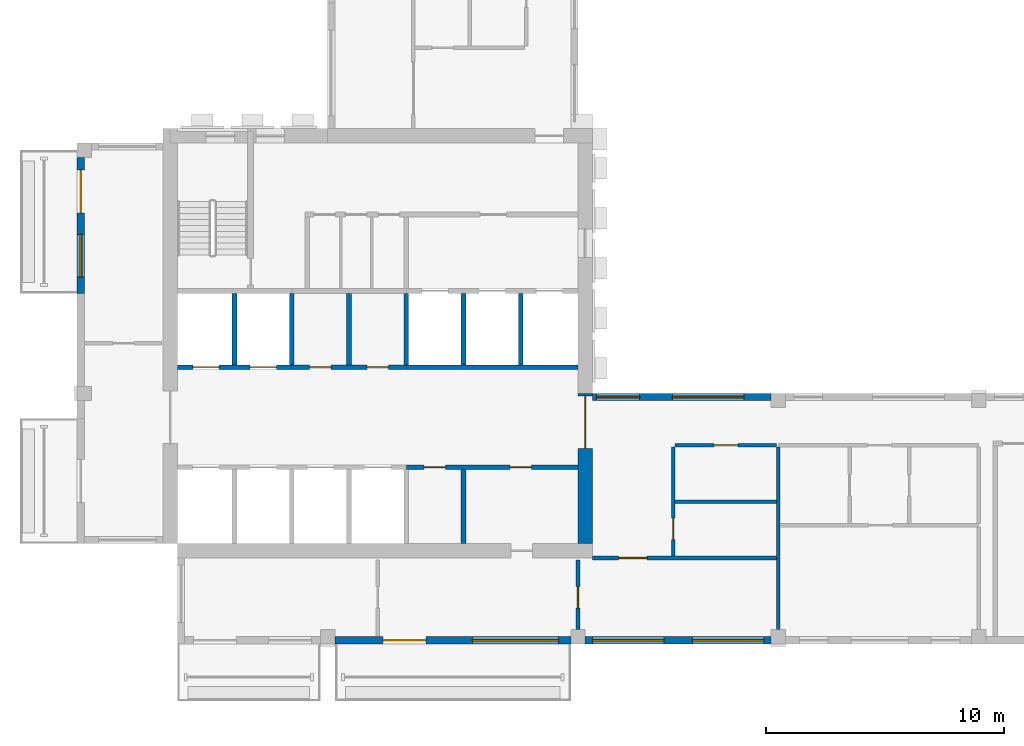
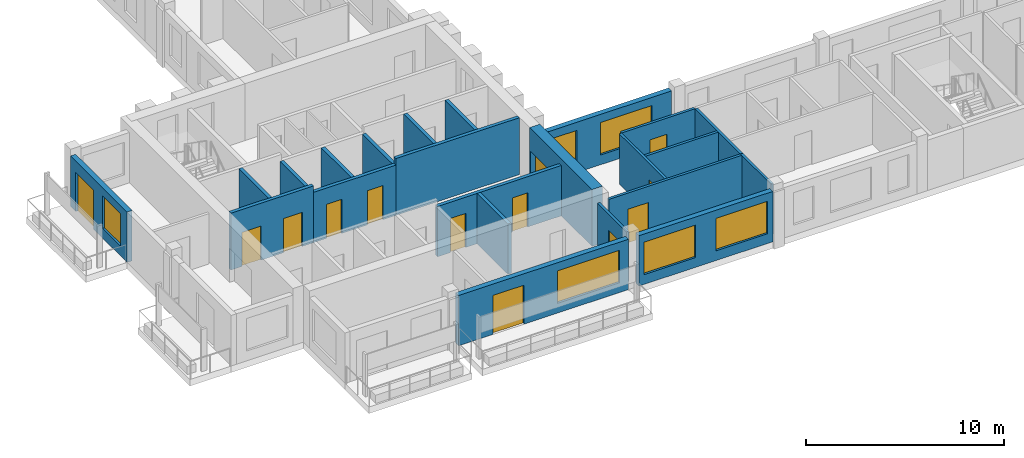
# One storey, part 2 of 10: 23 walls, 13 doors, 6 windows, 19 openings.
"""IFC4 building model written with IfcOpenShell, lengths in metres."""

from ifc_helpers import new_model, si_unit, direction, frame, frame_2d, origin, place, context, subcontext, project, spatial, rectangle, extrude, source, transform, mapped, material, layer, layer_set, type_object, element, fill, save


model = new_model("IFC4")

# Units and contexts
model_context = context("Model", 3, precision=1e-05, world=origin(), true_north=direction((0.0, 1.0)))
body_context = subcontext(model_context, "Body", "Model", "MODEL_VIEW")
ifc_project = project(units=[si_unit("LENGTHUNIT", "METRE"), si_unit("AREAUNIT", "SQUARE_METRE"), si_unit("VOLUMEUNIT", "CUBIC_METRE"), si_unit("PLANEANGLEUNIT", "RADIAN"), si_unit("MASSUNIT", "GRAM", prefix="KILO")], contexts=[model_context])

# Site, building, storey
site_placement = place(None, origin())
site = spatial("IfcSite", under=ifc_project, at=site_placement, CompositionType="ELEMENT")
building_placement = place(site_placement, origin())
building = spatial("IfcBuilding", under=site, at=building_placement, Name="Aurelian Terraces", CompositionType="ELEMENT")
storey_placement = place(building_placement, frame((0.0, 0.0, 361.5)))
storey = spatial("IfcBuildingStorey", under=building, at=storey_placement, Name="L86", CompositionType="ELEMENT", Elevation=361.5)

# Wall, opening, door
ifc_material_1 = material(Name="Concrete fc' 55 MPa", Category="concrete")
ifc_layer_1 = layer(ifc_material_1, 0.6)
ifc_layer_set_1 = layer_set([ifc_layer_1], Name="CORE WALL 600 FC55")
wall_type_1 = type_object("IfcWallType", Name="CORE WALL 600 FC55", PredefinedType="SHEAR", material=ifc_layer_set_1)
shared_shape_1 = source(origin(), body_context, "Body", "SweptSolid", [
    extrude(rectangle(XDim=6.3, YDim=0.6, at=frame_2d((3.15, 0.0))), origin(), (0.0, 0.0, 1.0), 3.5),
])
wall_1_placement = place(storey_placement, frame((21.3, 4.2, 0.0), z_axis=(0.0, 0.0, 1.0), x_axis=(0.0, 1.0, 0.0)))
wall_1 = element("IfcWall", 1, at=wall_1_placement, inside=storey, type_object=wall_type_1, Name="Core wall E L86", PredefinedType="SHEAR", context=body_context, shape_type="MappedRepresentation", body=[
    mapped(shared_shape_1, transform((0.0, 0.0, 0.0), scale=1.0)),
])
shared_shape_2 = source(origin(), body_context, "Body", "SweptSolid", [
    extrude(rectangle(XDim=2.2, YDim=2.1, at=frame_2d((1.1, 1.05))), frame((0.0, 0.31, 0.0), z_axis=(0.0, -1.0, 0.0), x_axis=(1.0, 0.0, 0.0)), (0.0, 0.0, 1.0), 0.62),
])
opening_1_placement = place(wall_1_placement, frame((4.0, 0.0, 0.0)))
opening_1 = element("IfcOpeningElement", 2, at=opening_1_placement, cuts=wall_1, Name="Opening 68924", PredefinedType="OPENING", context=body_context, shape_type="MappedRepresentation", body=[
    mapped(shared_shape_2, transform((0.0, 0.0, 0.0), scale=1.0)),
])
ifc_material_2 = material(Name="Steel door leaf", Category="steel")
door_type_1 = type_object("IfcDoorType", Name="Core double door 2200x2100", OperationType="DOUBLE_DOOR_SINGLE_SWING", PredefinedType="DOOR", material=ifc_material_2)
shared_shape_3 = source(origin(), body_context, "Body", "SweptSolid", [
    extrude(rectangle(XDim=2.2, YDim=2.1, at=frame_2d((1.1, 1.05))), frame((0.0, 0.025, 0.0), z_axis=(0.0, -1.0, 0.0), x_axis=(1.0, 0.0, 0.0)), (0.0, 0.0, 1.0), 0.05),
])
door_1_placement = place(opening_1_placement, origin())
door_1 = element("IfcDoor", 3, at=door_1_placement, inside=storey, type_object=door_type_1, Name="Core door 68924", OperationType="DOUBLE_DOOR_SINGLE_SWING", OverallHeight=2.1, OverallWidth=2.2, PredefinedType="DOOR", context=body_context, shape_type="MappedRepresentation", body=[
    mapped(shared_shape_3, transform((0.0, 0.0, 0.0), scale=1.0)),
])
fill(opening_1, door_1)

# Wall, openings, windows
ifc_material_3 = material(Name="Terracotta rainscreen cladding", Category="masonry")
ifc_layer_2 = layer(ifc_material_3, 0.3)
ifc_layer_set_2 = layer_set([ifc_layer_2], Name="EW-300")
wall_type_2 = type_object("IfcWallType", Name="EW-300", PredefinedType="STANDARD", material=ifc_layer_set_2)
shared_shape_4 = source(origin(), body_context, "Body", "SweptSolid", [
    extrude(rectangle(XDim=7.8, YDim=0.3, at=frame_2d((3.9, 0.0))), origin(), (0.0, 0.0, 1.0), 3.1),
])
wall_2_placement = place(storey_placement, frame((21.3, 0.15, 0.0), z_axis=(0.0, 0.0, 1.0), x_axis=(1.0, 0.0, 0.0)))
wall_2 = element("IfcWall", 4, at=wall_2_placement, inside=storey, type_object=wall_type_2, Name="External wall L86 F01.3", PredefinedType="STANDARD", context=body_context, shape_type="MappedRepresentation", body=[
    mapped(shared_shape_4, transform((0.0, 0.0, 0.0), scale=1.0)),
])
shared_shape_5 = source(origin(), body_context, "Body", "SweptSolid", [
    extrude(rectangle(XDim=3.0, YDim=2.0, at=frame_2d((1.5, 1.0))), frame((0.0, 0.16, 0.0), z_axis=(0.0, -1.0, 0.0), x_axis=(1.0, 0.0, 0.0)), (0.0, 0.0, 1.0), 0.32),
])
opening_2_placement = place(wall_2_placement, frame((0.3, 0.0, 0.6)))
opening_2 = element("IfcOpeningElement", 5, at=opening_2_placement, cuts=wall_2, Name="Opening W3020", PredefinedType="OPENING", context=body_context, shape_type="MappedRepresentation", body=[
    mapped(shared_shape_5, transform((0.0, 0.0, 0.0), scale=1.0)),
])
opening_3_placement = place(wall_2_placement, frame((4.5, 0.0, 0.6)))
opening_3 = element("IfcOpeningElement", 6, at=opening_3_placement, cuts=wall_2, Name="Opening W3020", PredefinedType="OPENING", context=body_context, shape_type="MappedRepresentation", body=[
    mapped(shared_shape_5, transform((0.0, 0.0, 0.0), scale=1.0)),
])
ifc_material_4 = material(Name="Clear glazing", Category="glass")
window_type_1 = type_object("IfcWindowType", Name="W-3000x2000", PartitioningType="SINGLE_PANEL", PredefinedType="WINDOW", material=ifc_material_4)
shared_shape_6 = source(origin(), body_context, "Body", "SweptSolid", [
    extrude(rectangle(XDim=3.0, YDim=2.0, at=frame_2d((1.5, 1.0))), frame((0.0, 0.03, 0.0), z_axis=(0.0, -1.0, 0.0), x_axis=(1.0, 0.0, 0.0)), (0.0, 0.0, 1.0), 0.06),
])
window_1_placement = place(opening_2_placement, origin())
window_1 = element("IfcWindow", 7, at=window_1_placement, inside=storey, type_object=window_type_1, Name="Window L86 L86-F01-03-0", OverallHeight=2.0, OverallWidth=3.0, PartitioningType="SINGLE_PANEL", PredefinedType="WINDOW", context=body_context, shape_type="MappedRepresentation", body=[
    mapped(shared_shape_6, transform((0.0, 0.0, 0.0), scale=1.0)),
])
fill(opening_2, window_1)
window_2_placement = place(opening_3_placement, origin())
window_2 = element("IfcWindow", 8, at=window_2_placement, inside=storey, type_object=window_type_1, Name="Window L86 L86-F01-03-1", OverallHeight=2.0, OverallWidth=3.0, PartitioningType="SINGLE_PANEL", PredefinedType="WINDOW", context=body_context, shape_type="MappedRepresentation", body=[
    mapped(shared_shape_6, transform((0.0, 0.0, 0.0), scale=1.0)),
])
fill(opening_3, window_2)

shared_shape_7 = source(origin(), body_context, "Body", "SweptSolid", [
    extrude(rectangle(XDim=7.5, YDim=0.3, at=frame_2d((3.75, 0.0))), origin(), (0.0, 0.0, 1.0), 3.1),
])
wall_3_placement = place(storey_placement, frame((29.1, 10.35, 0.0), z_axis=(0.0, 0.0, 1.0), x_axis=(-1.0, 0.0, 0.0)))
wall_3 = element("IfcWall", 9, at=wall_3_placement, inside=storey, type_object=wall_type_2, Name="External wall L86 F03.8", PredefinedType="STANDARD", context=body_context, shape_type="MappedRepresentation", body=[
    mapped(shared_shape_7, transform((0.0, 0.0, 0.0), scale=1.0)),
])
opening_4_placement = place(wall_3_placement, frame((1.14, 0.0, 0.6)))
opening_4 = element("IfcOpeningElement", 10, at=opening_4_placement, cuts=wall_3, Name="Opening W3020", PredefinedType="OPENING", context=body_context, shape_type="MappedRepresentation", body=[
    mapped(shared_shape_5, transform((0.0, 0.0, 0.0), scale=1.0)),
])
shared_shape_8 = source(origin(), body_context, "Body", "SweptSolid", [
    extrude(rectangle(XDim=1.8, YDim=2.0, at=frame_2d((0.9, 1.0))), frame((0.0, 0.16, 0.0), z_axis=(0.0, -1.0, 0.0), x_axis=(1.0, 0.0, 0.0)), (0.0, 0.0, 1.0), 0.32),
])
opening_5_placement = place(wall_3_placement, frame((5.52, 0.0, 0.6)))
opening_5 = element("IfcOpeningElement", 11, at=opening_5_placement, cuts=wall_3, Name="Opening W1820", PredefinedType="OPENING", context=body_context, shape_type="MappedRepresentation", body=[
    mapped(shared_shape_8, transform((0.0, 0.0, 0.0), scale=1.0)),
])
window_3_placement = place(opening_4_placement, origin())
window_3 = element("IfcWindow", 12, at=window_3_placement, inside=storey, type_object=window_type_1, Name="Window L86 L86-F03-08-5", OverallHeight=2.0, OverallWidth=3.0, PartitioningType="SINGLE_PANEL", PredefinedType="WINDOW", context=body_context, shape_type="MappedRepresentation", body=[
    mapped(shared_shape_6, transform((0.0, 0.0, 0.0), scale=1.0)),
])
fill(opening_4, window_3)
window_type_2 = type_object("IfcWindowType", Name="W-1800x2000", PartitioningType="SINGLE_PANEL", PredefinedType="WINDOW", material=ifc_material_4)
shared_shape_9 = source(origin(), body_context, "Body", "SweptSolid", [
    extrude(rectangle(XDim=1.8, YDim=2.0, at=frame_2d((0.9, 1.0))), frame((0.0, 0.03, 0.0), z_axis=(0.0, -1.0, 0.0), x_axis=(1.0, 0.0, 0.0)), (0.0, 0.0, 1.0), 0.06),
])
window_4_placement = place(opening_5_placement, origin())
window_4 = element("IfcWindow", 13, at=window_4_placement, inside=storey, type_object=window_type_2, Name="Window L86 L86-F03-08-6", OverallHeight=2.0, OverallWidth=1.8, PartitioningType="SINGLE_PANEL", PredefinedType="WINDOW", context=body_context, shape_type="MappedRepresentation", body=[
    mapped(shared_shape_9, transform((0.0, 0.0, 0.0), scale=1.0)),
])
fill(opening_5, window_4)

# Wall, openings, door, window
shared_shape_10 = source(origin(), body_context, "Body", "SweptSolid", [
    extrude(rectangle(XDim=9.9, YDim=0.3, at=frame_2d((4.95, 0.0))), origin(), (0.0, 0.0, 1.0), 3.1),
])
wall_4_placement = place(storey_placement, frame((10.8, 0.15, 0.0), z_axis=(0.0, 0.0, 1.0), x_axis=(1.0, 0.0, 0.0)))
wall_4 = element("IfcWall", 14, at=wall_4_placement, inside=storey, type_object=wall_type_2, Name="External wall L86 F01.2", PredefinedType="STANDARD", context=body_context, shape_type="MappedRepresentation", body=[
    mapped(shared_shape_10, transform((0.0, 0.0, 0.0), scale=1.0)),
])
shared_shape_11 = source(origin(), body_context, "Body", "SweptSolid", [
    extrude(rectangle(XDim=1.8, YDim=2.4, at=frame_2d((0.9, 1.2))), frame((0.0, 0.16, 0.0), z_axis=(0.0, -1.0, 0.0), x_axis=(1.0, 0.0, 0.0)), (0.0, 0.0, 1.0), 0.32),
])
opening_6_placement = place(wall_4_placement, frame((2.025, 0.0, 0.0)))
opening_6 = element("IfcOpeningElement", 15, at=opening_6_placement, cuts=wall_4, Name="Opening 88602", PredefinedType="OPENING", context=body_context, shape_type="MappedRepresentation", body=[
    mapped(shared_shape_11, transform((0.0, 0.0, 0.0), scale=1.0)),
])
shared_shape_12 = source(origin(), body_context, "Body", "SweptSolid", [
    extrude(rectangle(XDim=3.6, YDim=2.0, at=frame_2d((1.8, 1.0))), frame((0.0, 0.16, 0.0), z_axis=(0.0, -1.0, 0.0), x_axis=(1.0, 0.0, 0.0)), (0.0, 0.0, 1.0), 0.32),
])
opening_7_placement = place(wall_4_placement, frame((5.775, 0.0, 0.6)))
opening_7 = element("IfcOpeningElement", 16, at=opening_7_placement, cuts=wall_4, Name="Opening W3620", PredefinedType="OPENING", context=body_context, shape_type="MappedRepresentation", body=[
    mapped(shared_shape_12, transform((0.0, 0.0, 0.0), scale=1.0)),
])
door_type_2 = type_object("IfcDoorType", Name="BD-1800x2400", OperationType="SLIDING_TO_LEFT", PredefinedType="DOOR", material=ifc_material_4)
shared_shape_13 = source(origin(), body_context, "Body", "SweptSolid", [
    extrude(rectangle(XDim=1.8, YDim=2.4, at=frame_2d((0.9, 1.2))), frame((0.0, 0.025, 0.0), z_axis=(0.0, -1.0, 0.0), x_axis=(1.0, 0.0, 0.0)), (0.0, 0.0, 1.0), 0.05),
])
door_2_placement = place(opening_6_placement, origin())
door_2 = element("IfcDoor", 17, at=door_2_placement, inside=storey, type_object=door_type_2, Name="Balcony door L86 F01.2", OperationType="SLIDING_TO_LEFT", OverallHeight=2.4, OverallWidth=1.8, PredefinedType="DOOR", context=body_context, shape_type="MappedRepresentation", body=[
    mapped(shared_shape_13, transform((0.0, 0.0, 0.0), scale=1.0)),
])
fill(opening_6, door_2)
window_type_3 = type_object("IfcWindowType", Name="W-3600x2000", PartitioningType="SINGLE_PANEL", PredefinedType="WINDOW", material=ifc_material_4)
shared_shape_14 = source(origin(), body_context, "Body", "SweptSolid", [
    extrude(rectangle(XDim=3.6, YDim=2.0, at=frame_2d((1.8, 1.0))), frame((0.0, 0.03, 0.0), z_axis=(0.0, -1.0, 0.0), x_axis=(1.0, 0.0, 0.0)), (0.0, 0.0, 1.0), 0.06),
])
window_5_placement = place(opening_7_placement, origin())
window_5 = element("IfcWindow", 18, at=window_5_placement, inside=storey, type_object=window_type_3, Name="Window L86 L86-F01-02-1", OverallHeight=2.0, OverallWidth=3.6, PartitioningType="SINGLE_PANEL", PredefinedType="WINDOW", context=body_context, shape_type="MappedRepresentation", body=[
    mapped(shared_shape_14, transform((0.0, 0.0, 0.0), scale=1.0)),
])
fill(opening_7, window_5)

shared_shape_15 = source(origin(), body_context, "Body", "SweptSolid", [
    extrude(rectangle(XDim=5.7, YDim=0.3, at=frame_2d((2.85, 0.0))), origin(), (0.0, 0.0, 1.0), 3.1),
])
wall_5_placement = place(storey_placement, frame((0.15, 20.4, 0.0), z_axis=(0.0, 0.0, 1.0), x_axis=(0.0, -1.0, 0.0)))
wall_5 = element("IfcWall", 19, at=wall_5_placement, inside=storey, type_object=wall_type_2, Name="External wall L86 F12.22", PredefinedType="STANDARD", context=body_context, shape_type="MappedRepresentation", body=[
    mapped(shared_shape_15, transform((0.0, 0.0, 0.0), scale=1.0)),
])
opening_8_placement = place(wall_5_placement, frame((0.525, 0.0, 0.0)))
opening_8 = element("IfcOpeningElement", 20, at=opening_8_placement, cuts=wall_5, Name="Opening 88603", PredefinedType="OPENING", context=body_context, shape_type="MappedRepresentation", body=[
    mapped(shared_shape_11, transform((0.0, 0.0, 0.0), scale=1.0)),
])
opening_9_placement = place(wall_5_placement, frame((3.225, 0.0, 0.6)))
opening_9 = element("IfcOpeningElement", 21, at=opening_9_placement, cuts=wall_5, Name="Opening W1820", PredefinedType="OPENING", context=body_context, shape_type="MappedRepresentation", body=[
    mapped(shared_shape_8, transform((0.0, 0.0, 0.0), scale=1.0)),
])
door_3_placement = place(opening_8_placement, origin())
door_3 = element("IfcDoor", 22, at=door_3_placement, inside=storey, type_object=door_type_2, Name="Balcony door L86 F12.22", OperationType="SLIDING_TO_LEFT", OverallHeight=2.4, OverallWidth=1.8, PredefinedType="DOOR", context=body_context, shape_type="MappedRepresentation", body=[
    mapped(shared_shape_13, transform((0.0, 0.0, 0.0), scale=1.0)),
])
fill(opening_8, door_3)
window_6_placement = place(opening_9_placement, origin())
window_6 = element("IfcWindow", 23, at=window_6_placement, inside=storey, type_object=window_type_2, Name="Window L86 L86-F12-22-1", OverallHeight=2.0, OverallWidth=1.8, PartitioningType="SINGLE_PANEL", PredefinedType="WINDOW", context=body_context, shape_type="MappedRepresentation", body=[
    mapped(shared_shape_9, transform((0.0, 0.0, 0.0), scale=1.0)),
])
fill(opening_9, window_6)

# Walls
ifc_material_5 = material(Name="Concrete fc' 40 MPa", Category="concrete")
ifc_layer_3 = layer(ifc_material_5, 0.2)
ifc_layer_set_3 = layer_set([ifc_layer_3], Name="Lift shaft wall 200")
wall_type_3 = type_object("IfcWallType", Name="Lift shaft wall 200", PredefinedType="SOLIDWALL", material=ifc_layer_set_3)
shared_shape_16 = source(origin(), body_context, "Body", "SweptSolid", [
    extrude(rectangle(XDim=3.0, YDim=0.2, at=frame_2d((1.5, 0.0))), origin(), (0.0, 0.0, 1.0), 3.1),
])
for number, where, z_axis, x_axis, name in (
    (24, (9.0, 11.7, 0.0), (0.0, 0.0, 1.0), (0.0, 1.0, 0.0), "L86 core wall CD-B2"),
    (25, (13.8, 11.7, 0.0), (0.0, 0.0, 1.0), (0.0, 1.0, 0.0), "L86 core wall CD-B4"),
):
    element("IfcWall", number, at=place(storey_placement, frame(where, z_axis=z_axis, x_axis=x_axis)), inside=storey, type_object=wall_type_3, Name=name, PredefinedType="SOLIDWALL", context=body_context, shape_type="MappedRepresentation", body=[
        mapped(shared_shape_16, transform((0.0, 0.0, 0.0), scale=1.0)),
    ])
shared_shape_17 = source(origin(), body_context, "Body", "SweptSolid", [
    extrude(rectangle(XDim=3.0, YDim=0.2, at=frame_2d((1.5, 0.0))), origin(), (0.0, 0.0, 1.0), 3.5),
])
for number, where, z_axis, x_axis, name in (
    (26, (6.6, 11.7, 0.0), (0.0, 0.0, 1.0), (0.0, 1.0, 0.0), "L86 core wall CD-B1"),
    (27, (16.2, 11.7, 0.0), (0.0, 0.0, 1.0), (0.0, 1.0, 0.0), "L86 core wall CD-B5"),
    (28, (18.6, 11.7, 0.0), (0.0, 0.0, 1.0), (0.0, 1.0, 0.0), "L86 core wall CD-B6"),
):
    element("IfcWall", number, at=place(storey_placement, frame(where, z_axis=z_axis, x_axis=x_axis)), inside=storey, type_object=wall_type_3, Name=name, PredefinedType="SOLIDWALL", context=body_context, shape_type="MappedRepresentation", body=[
        mapped(shared_shape_17, transform((0.0, 0.0, 0.0), scale=1.0)),
    ])

# Wall, openings, doors
shared_shape_18 = source(origin(), body_context, "Body", "SweptSolid", [
    extrude(rectangle(XDim=4.8, YDim=0.2, at=frame_2d((2.4, 0.0))), origin(), (0.0, 0.0, 1.0), 3.5),
])
wall_6_placement = place(storey_placement, frame((4.2, 11.6, 0.0), z_axis=(0.0, 0.0, 1.0), x_axis=(1.0, 0.0, 0.0)))
wall_6 = element("IfcWall", 29, at=wall_6_placement, inside=storey, type_object=wall_type_3, Name="L86 core wall CF-BF1", PredefinedType="SOLIDWALL", context=body_context, shape_type="MappedRepresentation", body=[
    mapped(shared_shape_18, transform((0.0, 0.0, 0.0), scale=1.0)),
])
shared_shape_19 = source(origin(), body_context, "Body", "SweptSolid", [
    extrude(rectangle(XDim=1.1, YDim=2.1, at=frame_2d((0.55, 1.05))), frame((0.0, 0.11, 0.0), z_axis=(0.0, -1.0, 0.0), x_axis=(1.0, 0.0, 0.0)), (0.0, 0.0, 1.0), 0.22),
])
opening_10_placement = place(wall_6_placement, frame((0.65, 0.0, 0.0)))
opening_10 = element("IfcOpeningElement", 30, at=opening_10_placement, cuts=wall_6, Name="Opening 68906", PredefinedType="OPENING", context=body_context, shape_type="MappedRepresentation", body=[
    mapped(shared_shape_19, transform((0.0, 0.0, 0.0), scale=1.0)),
])
opening_11_placement = place(wall_6_placement, frame((3.05, 0.0, 0.0)))
opening_11 = element("IfcOpeningElement", 31, at=opening_11_placement, cuts=wall_6, Name="Opening 68907", PredefinedType="OPENING", context=body_context, shape_type="MappedRepresentation", body=[
    mapped(shared_shape_19, transform((0.0, 0.0, 0.0), scale=1.0)),
])
ifc_material_6 = material(Name="Stainless steel", Category="steel")
door_type_3 = type_object("IfcDoorType", Name="Lift landing door 1100x2100", OperationType="SLIDING_TO_LEFT", PredefinedType="DOOR", material=ifc_material_6)
shared_shape_20 = source(origin(), body_context, "Body", "SweptSolid", [
    extrude(rectangle(XDim=1.1, YDim=2.1, at=frame_2d((0.55, 1.05))), frame((0.0, 0.025, 0.0), z_axis=(0.0, -1.0, 0.0), x_axis=(1.0, 0.0, 0.0)), (0.0, 0.0, 1.0), 0.05),
])
door_4_placement = place(opening_10_placement, origin())
door_4 = element("IfcDoor", 32, at=door_4_placement, inside=storey, type_object=door_type_3, Name="Lift landing door LH5 L86", OperationType="SLIDING_TO_LEFT", OverallHeight=2.1, OverallWidth=1.1, PredefinedType="DOOR", context=body_context, shape_type="MappedRepresentation", body=[
    mapped(shared_shape_20, transform((0.0, 0.0, 0.0), scale=1.0)),
])
fill(opening_10, door_4)
door_5_placement = place(opening_11_placement, origin())
door_5 = element("IfcDoor", 33, at=door_5_placement, inside=storey, type_object=door_type_3, Name="Lift landing door LH6 L86", OperationType="SLIDING_TO_LEFT", OverallHeight=2.1, OverallWidth=1.1, PredefinedType="DOOR", context=body_context, shape_type="MappedRepresentation", body=[
    mapped(shared_shape_20, transform((0.0, 0.0, 0.0), scale=1.0)),
])
fill(opening_11, door_5)

shared_shape_21 = source(origin(), body_context, "Body", "SweptSolid", [
    extrude(rectangle(XDim=4.8, YDim=0.2, at=frame_2d((2.4, 0.0))), origin(), (0.0, 0.0, 1.0), 3.1),
])
wall_7_placement = place(storey_placement, frame((9.0, 11.6, 0.0), z_axis=(0.0, 0.0, 1.0), x_axis=(1.0, 0.0, 0.0)))
wall_7 = element("IfcWall", 34, at=wall_7_placement, inside=storey, type_object=wall_type_3, Name="L86 core wall CF-BF2", PredefinedType="SOLIDWALL", context=body_context, shape_type="MappedRepresentation", body=[
    mapped(shared_shape_21, transform((0.0, 0.0, 0.0), scale=1.0)),
])
shared_shape_22 = source(origin(), body_context, "Body", "SweptSolid", [
    extrude(rectangle(XDim=0.9, YDim=2.1, at=frame_2d((0.45, 1.05))), frame((0.0, 0.11, 0.0), z_axis=(0.0, -1.0, 0.0), x_axis=(1.0, 0.0, 0.0)), (0.0, 0.0, 1.0), 0.22),
])
opening_12_placement = place(wall_7_placement, frame((0.75, 0.0, 0.0)))
opening_12 = element("IfcOpeningElement", 35, at=opening_12_placement, cuts=wall_7, Name="Opening 68908", PredefinedType="OPENING", context=body_context, shape_type="MappedRepresentation", body=[
    mapped(shared_shape_22, transform((0.0, 0.0, 0.0), scale=1.0)),
])
opening_13_placement = place(wall_7_placement, frame((3.15, 0.0, 0.0)))
opening_13 = element("IfcOpeningElement", 36, at=opening_13_placement, cuts=wall_7, Name="Opening 68909", PredefinedType="OPENING", context=body_context, shape_type="MappedRepresentation", body=[
    mapped(shared_shape_22, transform((0.0, 0.0, 0.0), scale=1.0)),
])
door_type_4 = type_object("IfcDoorType", Name="Core service door 900x2100 right", OperationType="SINGLE_SWING_RIGHT", PredefinedType="DOOR", material=ifc_material_2)
shared_shape_23 = source(origin(), body_context, "Body", "SweptSolid", [
    extrude(rectangle(XDim=0.9, YDim=2.1, at=frame_2d((0.45, 1.05))), frame((0.0, 0.025, 0.0), z_axis=(0.0, -1.0, 0.0), x_axis=(1.0, 0.0, 0.0)), (0.0, 0.0, 1.0), 0.05),
])
door_6_placement = place(opening_12_placement, origin())
door_6 = element("IfcDoor", 37, at=door_6_placement, inside=storey, type_object=door_type_4, Name="Room door 68908", OperationType="SINGLE_SWING_RIGHT", OverallHeight=2.1, OverallWidth=0.9, PredefinedType="DOOR", context=body_context, shape_type="MappedRepresentation", body=[
    mapped(shared_shape_23, transform((0.0, 0.0, 0.0), scale=1.0)),
])
fill(opening_12, door_6)
door_type_5 = type_object("IfcDoorType", Name="Core service door 900x2100", OperationType="SINGLE_SWING_LEFT", PredefinedType="DOOR", material=ifc_material_2)
door_7_placement = place(opening_13_placement, origin())
door_7 = element("IfcDoor", 38, at=door_7_placement, inside=storey, type_object=door_type_5, Name="Room door 68909", OperationType="SINGLE_SWING_LEFT", OverallHeight=2.1, OverallWidth=0.9, PredefinedType="DOOR", context=body_context, shape_type="MappedRepresentation", body=[
    mapped(shared_shape_23, transform((0.0, 0.0, 0.0), scale=1.0)),
])
fill(opening_13, door_7)

# Walls
shared_shape_24 = source(origin(), body_context, "Body", "SweptSolid", [
    extrude(rectangle(XDim=7.2, YDim=0.2, at=frame_2d((3.6, 0.0))), origin(), (0.0, 0.0, 1.0), 3.5),
])
wall_8_placement = place(storey_placement, frame((13.8, 11.6, 0.0), z_axis=(0.0, 0.0, 1.0), x_axis=(1.0, 0.0, 0.0)))
element("IfcWall", 39, at=wall_8_placement, inside=storey, type_object=wall_type_3, Name="L86 core wall CF-BF3", PredefinedType="SOLIDWALL", context=body_context, shape_type="MappedRepresentation", body=[
    mapped(shared_shape_24, transform((0.0, 0.0, 0.0), scale=1.0)),
])
ifc_material_7 = material(Name="Gypsum board on steel studs", Category="steel")
ifc_layer_4 = layer(ifc_material_7, 0.2)
ifc_layer_set_4 = layer_set([ifc_layer_4], Name="Core partition 200")
wall_type_4 = type_object("IfcWallType", Name="Core partition 200", PredefinedType="PARTITIONING", material=ifc_layer_set_4)
shared_shape_25 = source(origin(), body_context, "Body", "SweptSolid", [
    extrude(rectangle(XDim=3.0, YDim=0.2, at=frame_2d((1.5, 0.0))), origin(), (0.0, 0.0, 1.0), 3.1),
])
wall_9_placement = place(storey_placement, frame((11.4, 11.7, 0.0), z_axis=(0.0, 0.0, 1.0), x_axis=(0.0, 1.0, 0.0)))
element("IfcWall", 40, at=wall_9_placement, inside=storey, type_object=wall_type_4, Name="L86 core wall CS-B3", PredefinedType="PARTITIONING", context=body_context, shape_type="MappedRepresentation", body=[
    mapped(shared_shape_25, transform((0.0, 0.0, 0.0), scale=1.0)),
])
shared_shape_26 = source(origin(), body_context, "Body", "SweptSolid", [
    extrude(rectangle(XDim=3.1, YDim=0.2, at=frame_2d((1.55, 0.0))), origin(), (0.0, 0.0, 1.0), 3.1),
])
wall_10_placement = place(storey_placement, frame((16.2, 4.2, 0.0), z_axis=(0.0, 0.0, 1.0), x_axis=(0.0, 1.0, 0.0)))
element("IfcWall", 41, at=wall_10_placement, inside=storey, type_object=wall_type_4, Name="L86 core wall CS-A5", PredefinedType="PARTITIONING", context=body_context, shape_type="MappedRepresentation", body=[
    mapped(shared_shape_26, transform((0.0, 0.0, 0.0), scale=1.0)),
])

# Wall, openings, doors
shared_shape_27 = source(origin(), body_context, "Body", "SweptSolid", [
    extrude(rectangle(XDim=7.2, YDim=0.2, at=frame_2d((3.6, 0.0))), origin(), (0.0, 0.0, 1.0), 3.1),
])
wall_11_placement = place(storey_placement, frame((13.8, 7.4, 0.0), z_axis=(0.0, 0.0, 1.0), x_axis=(1.0, 0.0, 0.0)))
wall_11 = element("IfcWall", 42, at=wall_11_placement, inside=storey, type_object=wall_type_3, Name="L86 core wall CF-AF2", PredefinedType="SOLIDWALL", context=body_context, shape_type="MappedRepresentation", body=[
    mapped(shared_shape_27, transform((0.0, 0.0, 0.0), scale=1.0)),
])
opening_14_placement = place(wall_11_placement, frame((0.75, 0.0, 0.0)))
opening_14 = element("IfcOpeningElement", 43, at=opening_14_placement, cuts=wall_11, Name="Opening 68904", PredefinedType="OPENING", context=body_context, shape_type="MappedRepresentation", body=[
    mapped(shared_shape_22, transform((0.0, 0.0, 0.0), scale=1.0)),
])
opening_15_placement = place(wall_11_placement, frame((4.35, 0.0, 0.0)))
opening_15 = element("IfcOpeningElement", 44, at=opening_15_placement, cuts=wall_11, Name="Opening 68905", PredefinedType="OPENING", context=body_context, shape_type="MappedRepresentation", body=[
    mapped(shared_shape_22, transform((0.0, 0.0, 0.0), scale=1.0)),
])
door_8_placement = place(opening_14_placement, origin())
door_8 = element("IfcDoor", 45, at=door_8_placement, inside=storey, type_object=door_type_4, Name="Room door 68904", OperationType="SINGLE_SWING_RIGHT", OverallHeight=2.1, OverallWidth=0.9, PredefinedType="DOOR", context=body_context, shape_type="MappedRepresentation", body=[
    mapped(shared_shape_23, transform((0.0, 0.0, 0.0), scale=1.0)),
])
fill(opening_14, door_8)
door_9_placement = place(opening_15_placement, origin())
door_9 = element("IfcDoor", 46, at=door_9_placement, inside=storey, type_object=door_type_5, Name="Room door 68905", OperationType="SINGLE_SWING_LEFT", OverallHeight=2.1, OverallWidth=0.9, PredefinedType="DOOR", context=body_context, shape_type="MappedRepresentation", body=[
    mapped(shared_shape_23, transform((0.0, 0.0, 0.0), scale=1.0)),
])
fill(opening_15, door_9)

# Wall, opening, door
ifc_layer_5 = layer(ifc_material_7, 0.15)
ifc_layer_set_5 = layer_set([ifc_layer_5], Name="Partition 150")
wall_type_5 = type_object("IfcWallType", Name="Partition 150", PredefinedType="PARTITIONING", material=ifc_layer_set_5)
shared_shape_28 = source(origin(), body_context, "Body", "SweptSolid", [
    extrude(rectangle(XDim=4.575, YDim=0.15, at=frame_2d((2.2875, 0.0))), origin(), (0.0, 0.0, 1.0), 3.1),
])
wall_12_placement = place(storey_placement, frame((25.0, 8.25, 0.0), z_axis=(0.0, 0.0, 1.0), x_axis=(0.0, -1.0, 0.0)))
wall_12 = element("IfcWall", 47, at=wall_12_placement, inside=storey, type_object=wall_type_5, Name="Partition", PredefinedType="PARTITIONING", context=body_context, shape_type="MappedRepresentation", body=[
    mapped(shared_shape_28, transform((0.0, 0.0, 0.0), scale=1.0)),
])
shared_shape_29 = source(origin(), body_context, "Body", "SweptSolid", [
    extrude(rectangle(XDim=0.9, YDim=2.1, at=frame_2d((0.45, 1.05))), frame((0.0, 0.085, 0.0), z_axis=(0.0, -1.0, 0.0), x_axis=(1.0, 0.0, 0.0)), (0.0, 0.0, 1.0), 0.17),
])
opening_16_placement = place(wall_12_placement, frame((2.981, 0.0, 0.0)))
opening_16 = element("IfcOpeningElement", 48, at=opening_16_placement, cuts=wall_12, Name="Opening 786002", PredefinedType="OPENING", context=body_context, shape_type="MappedRepresentation", body=[
    mapped(shared_shape_29, transform((0.0, 0.0, 0.0), scale=1.0)),
])
ifc_material_8 = material(Name="Timber door leaf", Category="wood")
door_type_6 = type_object("IfcDoorType", Name="Room door 900x2100 right", OperationType="SINGLE_SWING_RIGHT", PredefinedType="DOOR", material=ifc_material_8)
door_10_placement = place(opening_16_placement, origin())
door_10 = element("IfcDoor", 49, at=door_10_placement, inside=storey, type_object=door_type_6, Name="Door 786002", OperationType="SINGLE_SWING_RIGHT", OverallHeight=2.1, OverallWidth=0.9, PredefinedType="DOOR", context=body_context, shape_type="MappedRepresentation", body=[
    mapped(shared_shape_23, transform((0.0, 0.0, 0.0), scale=1.0)),
])
fill(opening_16, door_10)

# Wall
wall_13_placement = place(storey_placement, frame((29.4, 3.675, 0.0), z_axis=(0.0, 0.0, 1.0), x_axis=(0.0, 1.0, 0.0)))
element("IfcWall", 50, at=wall_13_placement, inside=storey, type_object=wall_type_5, Name="Partition", PredefinedType="PARTITIONING", context=body_context, shape_type="MappedRepresentation", body=[
    mapped(shared_shape_28, transform((0.0, 0.0, 0.0), scale=1.0)),
])

# Wall, opening, door
shared_shape_30 = source(origin(), body_context, "Body", "SweptSolid", [
    extrude(rectangle(XDim=7.725, YDim=0.15, at=frame_2d((3.8625, 0.0))), origin(), (0.0, 0.0, 1.0), 3.1),
])
wall_14_placement = place(storey_placement, frame((21.6, 3.6, 0.0), z_axis=(0.0, 0.0, 1.0), x_axis=(1.0, 0.0, 0.0)))
wall_14 = element("IfcWall", 51, at=wall_14_placement, inside=storey, type_object=wall_type_5, Name="Partition", PredefinedType="PARTITIONING", context=body_context, shape_type="MappedRepresentation", body=[
    mapped(shared_shape_30, transform((0.0, 0.0, 0.0), scale=1.0)),
])
shared_shape_31 = source(origin(), body_context, "Body", "SweptSolid", [
    extrude(rectangle(XDim=1.2, YDim=2.1, at=frame_2d((0.6, 1.05))), frame((0.0, 0.085, 0.0), z_axis=(0.0, -1.0, 0.0), x_axis=(1.0, 0.0, 0.0)), (0.0, 0.0, 1.0), 0.17),
])
opening_17_placement = place(wall_14_placement, frame((1.1, 0.0, 0.0)))
opening_17 = element("IfcOpeningElement", 52, at=opening_17_placement, cuts=wall_14, Name="Opening 786005", PredefinedType="OPENING", context=body_context, shape_type="MappedRepresentation", body=[
    mapped(shared_shape_31, transform((0.0, 0.0, 0.0), scale=1.0)),
])
door_type_7 = type_object("IfcDoorType", Name="Room door 1200x2100 right", OperationType="SINGLE_SWING_RIGHT", PredefinedType="DOOR", material=ifc_material_8)
shared_shape_32 = source(origin(), body_context, "Body", "SweptSolid", [
    extrude(rectangle(XDim=1.2, YDim=2.1, at=frame_2d((0.6, 1.05))), frame((0.0, 0.025, 0.0), z_axis=(0.0, -1.0, 0.0), x_axis=(1.0, 0.0, 0.0)), (0.0, 0.0, 1.0), 0.05),
])
door_11_placement = place(opening_17_placement, origin())
door_11 = element("IfcDoor", 53, at=door_11_placement, inside=storey, type_object=door_type_7, Name="Door 786005", OperationType="SINGLE_SWING_RIGHT", OverallHeight=2.1, OverallWidth=1.2, PredefinedType="DOOR", context=body_context, shape_type="MappedRepresentation", body=[
    mapped(shared_shape_32, transform((0.0, 0.0, 0.0), scale=1.0)),
])
fill(opening_17, door_11)

# Wall
ifc_layer_6 = layer(ifc_material_7, 0.15)
ifc_layer_set_6 = layer_set([ifc_layer_6], Name="Fire partition 150")
wall_type_6 = type_object("IfcWallType", Name="Fire partition 150", PredefinedType="PARTITIONING", material=ifc_layer_set_6)
shared_shape_33 = source(origin(), body_context, "Body", "SweptSolid", [
    extrude(rectangle(XDim=3.056, YDim=0.15, at=frame_2d((1.528, 0.0))), origin(), (0.0, 0.0, 1.0), 3.1),
])
wall_15_placement = place(storey_placement, frame((29.4, 0.599, 0.0), z_axis=(0.0, 0.0, 1.0), x_axis=(0.0, 1.0, 0.0)))
element("IfcWall", 54, at=wall_15_placement, inside=storey, type_object=wall_type_6, Name="Party wall", PredefinedType="PARTITIONING", context=body_context, shape_type="MappedRepresentation", body=[
    mapped(shared_shape_33, transform((0.0, 0.0, 0.0), scale=1.0)),
])

# Wall, opening, door
shared_shape_34 = source(origin(), body_context, "Body", "SweptSolid", [
    extrude(rectangle(XDim=4.25, YDim=0.15, at=frame_2d((2.125, 0.0))), origin(), (0.0, 0.0, 1.0), 3.1),
])
wall_16_placement = place(storey_placement, frame((29.325, 8.325, 0.0), z_axis=(0.0, 0.0, 1.0), x_axis=(-1.0, 0.0, 0.0)))
wall_16 = element("IfcWall", 55, at=wall_16_placement, inside=storey, type_object=wall_type_6, Name="Corridor wall", PredefinedType="PARTITIONING", context=body_context, shape_type="MappedRepresentation", body=[
    mapped(shared_shape_34, transform((0.0, 0.0, 0.0), scale=1.0)),
])
shared_shape_35 = source(origin(), body_context, "Body", "SweptSolid", [
    extrude(rectangle(XDim=1.0, YDim=2.1, at=frame_2d((0.5, 1.05))), frame((0.0, 0.085, 0.0), z_axis=(0.0, -1.0, 0.0), x_axis=(1.0, 0.0, 0.0)), (0.0, 0.0, 1.0), 0.17),
])
opening_18_placement = place(wall_16_placement, frame((1.625, 0.0, 0.0)))
opening_18 = element("IfcOpeningElement", 56, at=opening_18_placement, cuts=wall_16, Name="Opening 786001", PredefinedType="OPENING", context=body_context, shape_type="MappedRepresentation", body=[
    mapped(shared_shape_35, transform((0.0, 0.0, 0.0), scale=1.0)),
])
door_type_8 = type_object("IfcDoorType", Name="Entrance fire door 1000x2100 left", OperationType="SINGLE_SWING_LEFT", PredefinedType="DOOR", material=ifc_material_2)
shared_shape_36 = source(origin(), body_context, "Body", "SweptSolid", [
    extrude(rectangle(XDim=1.0, YDim=2.1, at=frame_2d((0.5, 1.05))), frame((0.0, 0.025, 0.0), z_axis=(0.0, -1.0, 0.0), x_axis=(1.0, 0.0, 0.0)), (0.0, 0.0, 1.0), 0.05),
])
door_12_placement = place(opening_18_placement, origin())
door_12 = element("IfcDoor", 57, at=door_12_placement, inside=storey, type_object=door_type_8, Name="Door 786001", OperationType="SINGLE_SWING_LEFT", OverallHeight=2.1, OverallWidth=1.0, PredefinedType="DOOR", context=body_context, shape_type="MappedRepresentation", body=[
    mapped(shared_shape_36, transform((0.0, 0.0, 0.0), scale=1.0)),
])
fill(opening_18, door_12)

# Wall
wall_17_placement = place(storey_placement, frame((29.325, 5.963, 0.0), z_axis=(0.0, 0.0, 1.0), x_axis=(-1.0, 0.0, 0.0)))
element("IfcWall", 58, at=wall_17_placement, inside=storey, type_object=wall_type_5, Name="Partition", PredefinedType="PARTITIONING", context=body_context, shape_type="MappedRepresentation", body=[
    mapped(shared_shape_34, transform((0.0, 0.0, 0.0), scale=1.0)),
])

# Wall, opening, door
shared_shape_37 = source(origin(), body_context, "Body", "SweptSolid", [
    extrude(rectangle(XDim=2.926, YDim=0.15, at=frame_2d((1.463, 0.0))), origin(), (0.0, 0.0, 1.0), 3.1),
])
wall_18_placement = place(storey_placement, frame((21.0, 3.525, 0.0), z_axis=(0.0, 0.0, 1.0), x_axis=(0.0, -1.0, 0.0)))
wall_18 = element("IfcWall", 59, at=wall_18_placement, inside=storey, type_object=wall_type_5, Name="Partition", PredefinedType="PARTITIONING", context=body_context, shape_type="MappedRepresentation", body=[
    mapped(shared_shape_37, transform((0.0, 0.0, 0.0), scale=1.0)),
])
opening_19_placement = place(wall_18_placement, frame((1.125, 0.0, 0.0)))
opening_19 = element("IfcOpeningElement", 60, at=opening_19_placement, cuts=wall_18, Name="Opening 786004", PredefinedType="OPENING", context=body_context, shape_type="MappedRepresentation", body=[
    mapped(shared_shape_29, transform((0.0, 0.0, 0.0), scale=1.0)),
])
door_type_9 = type_object("IfcDoorType", Name="Room door 900x2100 left", OperationType="SINGLE_SWING_LEFT", PredefinedType="DOOR", material=ifc_material_8)
door_13_placement = place(opening_19_placement, origin())
door_13 = element("IfcDoor", 61, at=door_13_placement, inside=storey, type_object=door_type_9, Name="Door 786004", OperationType="SINGLE_SWING_LEFT", OverallHeight=2.1, OverallWidth=0.9, PredefinedType="DOOR", context=body_context, shape_type="MappedRepresentation", body=[
    mapped(shared_shape_23, transform((0.0, 0.0, 0.0), scale=1.0)),
])
fill(opening_19, door_13)

save(model, "model.ifc")
